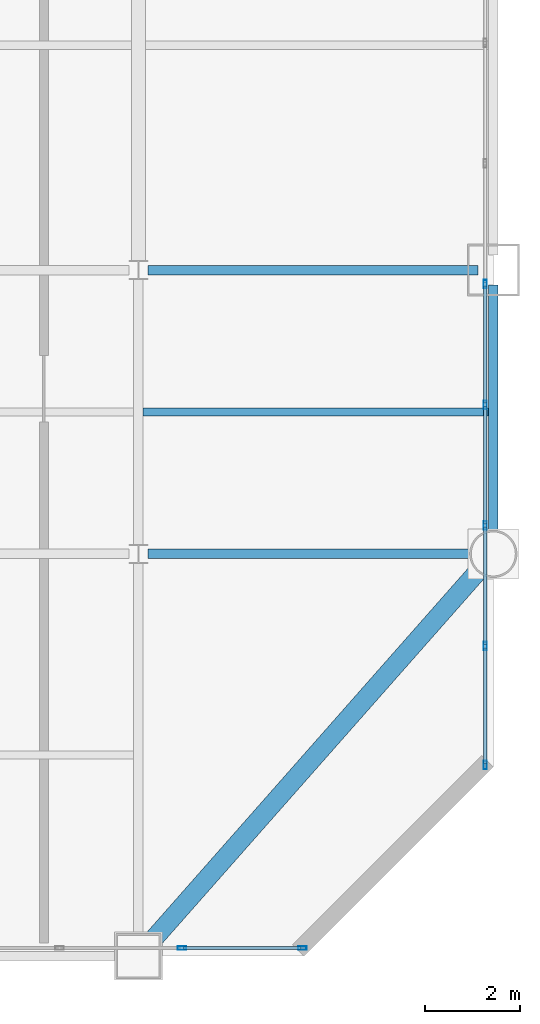
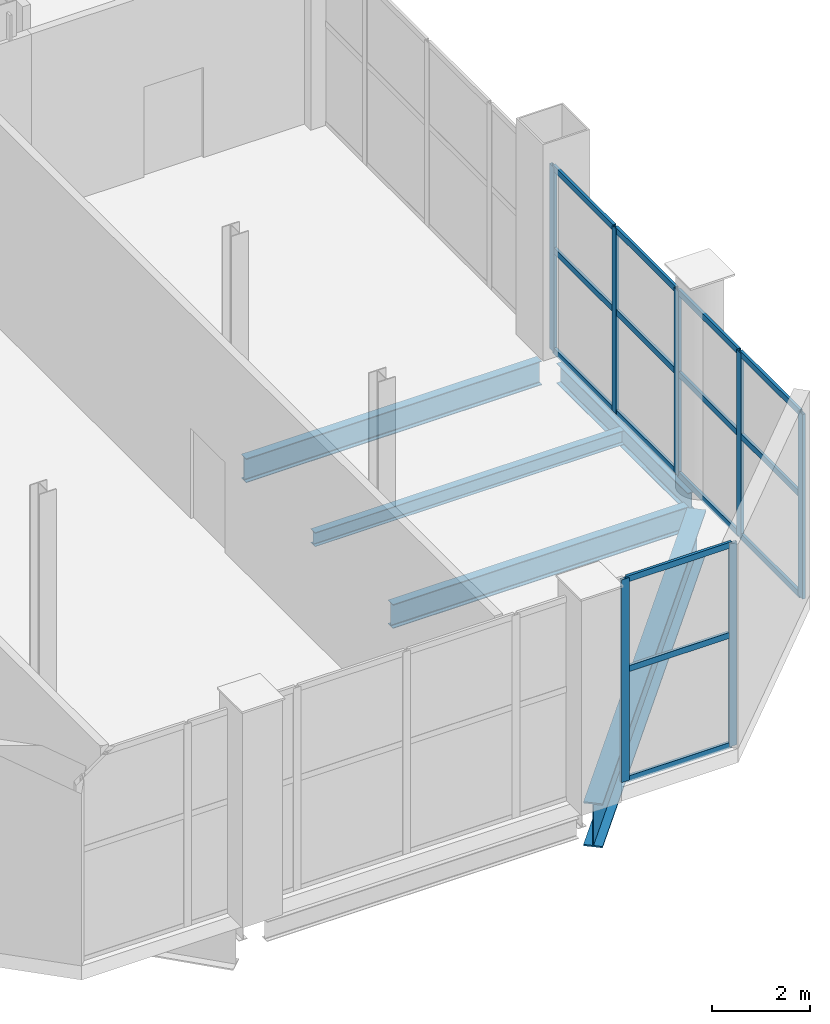
# One storey, part 10 of 24: 22 members, 5 beams, 2 elements without a shape of their own.
"""IFC4 building model written with IfcOpenShell, lengths in metres."""

from ifc_helpers import new_model, si_unit, direction, frame, origin, origin_2d, place, context, subcontext, project, spatial, hollow_rectangle, i_section, extrude, material, layer, layer_set, material_profile, profile_set, type_object, element, aggregate, save


model = new_model("IFC4")

# Units and contexts
model_context = context("Model", 3, precision=1e-05, world=origin(), true_north=direction((0.0, 1.0)))
body_context = subcontext(model_context, "Body", "Model", "MODEL_VIEW")
ifc_project = project(units=[si_unit("LENGTHUNIT", "METRE"), si_unit("AREAUNIT", "SQUARE_METRE"), si_unit("VOLUMEUNIT", "CUBIC_METRE"), si_unit("PLANEANGLEUNIT", "RADIAN"), si_unit("MASSUNIT", "GRAM", prefix="KILO")], contexts=[model_context])

# Site, building, storey
site_placement = place(None, origin())
site = spatial("IfcSite", under=ifc_project, at=site_placement, CompositionType="ELEMENT")
building_placement = place(site_placement, origin())
building = spatial("IfcBuilding", under=site, at=building_placement, Name="Qianrong Seaharbour Tower", CompositionType="ELEMENT")
storey_placement = place(building_placement, frame((0.0, 0.0, 195.0)))
storey = spatial("IfcBuildingStorey", under=building, at=storey_placement, Name="L47", CompositionType="ELEMENT", Elevation=195.0)

# Beams
ifc_material_1 = material(Name="Structural steel SN490B", Category="steel")
ifc_material_profile_1 = material_profile(ifc_material_1, i_section(OverallWidth=0.199951171875, OverallDepth=0.60009765625, WebThickness=0.010986328125, FlangeThickness=0.01708984375, FilletRadius=0.02197265625, at=origin_2d()), Name="H600x200x11x17")
ifc_profile_set_1 = profile_set([ifc_material_profile_1], Name="Structural steel SN490B")
beam_type_1 = type_object("IfcBeamType", Name="BM-G-600", PredefinedType="BEAM", material=ifc_profile_set_1)
for number, where, z_axis, x_axis, name in (
    (1, (56.699951171875, 12.5, -0.64990234375), (1.0, 0.0, 0.0), (0.0, 1.0, 0.0), "L47 Primary Girder GC G8-G9"),
    (2, (56.699951171875, 18.5, -0.64990234375), (1.0, 0.0, 0.0), (0.0, 1.0, 0.0), "L47 Primary Girder GD G8-G9"),
):
    element("IfcBeam", number, at=place(storey_placement, frame(where, z_axis=z_axis, x_axis=x_axis)), inside=storey, type_object=beam_type_1, Name=name, PredefinedType="BEAM", context=body_context, shape_type="SweptSolid", body=[
        extrude(i_section(OverallWidth=0.199951171875, OverallDepth=0.60009765625, WebThickness=0.010986328125, FlangeThickness=0.01708984375, FilletRadius=0.02197265625, at=origin_2d()), origin(), (0.0, 0.0, 1.0), 6.97998046875),
    ])
ifc_material_2 = material(Name="Structural steel SN400B", Category="steel")
ifc_material_profile_2 = material_profile(ifc_material_2, i_section(OverallWidth=0.175048828125, OverallDepth=0.35009765625, WebThickness=0.007080078125, FlangeThickness=0.010986328125, FilletRadius=0.013916015625, at=origin_2d()), Name="H350x175x7x11")
ifc_profile_set_2 = profile_set([ifc_material_profile_2], Name="Structural steel SN400B")
beam_type_2 = type_object("IfcBeamType", Name="BM-J-350", PredefinedType="JOIST", material=ifc_profile_set_2)
beam_1_placement = place(storey_placement, frame((56.60009765625, 15.5, -0.52490234375), z_axis=(1.0, 0.0, 0.0), x_axis=(0.0, 1.0, 0.0)))
element("IfcBeam", 3, at=beam_1_placement, inside=storey, type_object=beam_type_2, Name="L47 Composite Floor Joist G8-G9/GC-GD", PredefinedType="JOIST", context=body_context, shape_type="SweptSolid", body=[
    extrude(i_section(OverallWidth=0.175048828125, OverallDepth=0.35009765625, WebThickness=0.007080078125, FlangeThickness=0.010986328125, FilletRadius=0.013916015625, at=origin_2d()), origin(), (0.0, 0.0, 1.0), 7.2998046875),
])
ifc_material_profile_3 = material_profile(ifc_material_1, i_section(OverallWidth=0.199951171875, OverallDepth=0.5, WebThickness=0.010009765625, FlangeThickness=0.01611328125, FilletRadius=0.02001953125, at=origin_2d()), Name="H500x200x10x16")
ifc_profile_set_3 = profile_set([ifc_material_profile_3], Name="Structural steel SN490B")
beam_type_3 = type_object("IfcBeamType", Name="BM-SP-500", PredefinedType="SPANDREL", material=ifc_profile_set_3)
beam_2_placement = place(storey_placement, frame((64.0, 12.820068359375, -0.60009765625), z_axis=(0.0, 1.0, 0.0), x_axis=(-1.0, 0.0, 0.0)))
element("IfcBeam", 4, at=beam_2_placement, inside=storey, type_object=beam_type_3, Name="L47 Spandrel Girder G9 GC-GD", PredefinedType="SPANDREL", context=body_context, shape_type="SweptSolid", body=[
    extrude(i_section(OverallWidth=0.199951171875, OverallDepth=0.5, WebThickness=0.010009765625, FlangeThickness=0.01611328125, FilletRadius=0.02001953125, at=origin_2d()), origin(), (0.0, 0.0, 1.0), 5.35986328125),
])
ifc_material_profile_4 = material_profile(ifc_material_1, i_section(OverallWidth=0.39990234375, OverallDepth=1.10009765625, WebThickness=0.02001953125, FlangeThickness=0.035888671875, at=origin_2d()), Name="BH1100x400x20x36")
ifc_profile_set_4 = profile_set([ifc_material_profile_4], Name="Structural steel SN490B")
beam_type_4 = type_object("IfcBeamType", Name="BM-TG-1100", PredefinedType="BEAM", material=ifc_profile_set_4)
beam_3_placement = place(storey_placement, frame((56.711669921875, 4.239990234375, -0.89990234375), z_axis=(0.661630696334, 0.749829861815, 0.0), x_axis=(-0.749829861815, 0.661630696334, 0.0)))
element("IfcBeam", 5, at=beam_3_placement, inside=storey, type_object=beam_type_4, Name="L47 Chamfer Corner Spandrel Girder G9/GB", PredefinedType="BEAM", context=body_context, shape_type="SweptSolid", body=[
    extrude(i_section(OverallWidth=0.39990234375, OverallDepth=1.10009765625, WebThickness=0.02001953125, FlangeThickness=0.035888671875, at=origin_2d()), origin(), (0.0, 0.0, 1.0), 10.69580078125),
])

# Curtain wall, members
ifc_material_3 = material(Name="Anodised aluminium 6063-T6 and laminated low-e glass", Category="aluminium")
ifc_layer = layer(ifc_material_3, 0.18505859375)
ifc_layer_set = layer_set([ifc_layer], Name="Anodised aluminium 6063-T6 and laminated low-e glass")
curtain_wall_type = type_object("IfcCurtainWallType", Name="CW-SYS-4", PredefinedType="NOTDEFINED", material=ifc_layer_set)
curtain_wall_1_placement = place(storey_placement, origin())
curtain_wall_1 = element("IfcCurtainWall", 6, at=curtain_wall_1_placement, inside=storey, type_object=curtain_wall_type, Name="L47 Refuge Acoustic Louvre Curtain Wall EAST_WING", PredefinedType="NOTDEFINED")
ifc_material_4 = material(Name="Extruded aluminium 6063-T6", Category="aluminium")
ifc_material_profile_5 = material_profile(ifc_material_4, hollow_rectangle(XDim=0.070068359375, YDim=0.179931640625, WallThickness=0.00390625, at=origin_2d()), Name="ALU-MUL-180x70x4")
ifc_profile_set_5 = profile_set([ifc_material_profile_5], Name="Extruded aluminium 6063-T6")
member_type_1 = type_object("IfcMemberType", Name="CW-MUL-180", PredefinedType="MULLION", material=ifc_profile_set_5)
member_1_placement = place(storey_placement, frame((63.830078125, 18.199951171875, 0.0), z_axis=(0.0, 0.0, 1.0), x_axis=(1.0, 0.0, 0.0)))
member_1 = element("IfcMember", 7, at=member_1_placement, type_object=member_type_1, Name="CW-4 mullion 8", PredefinedType="MULLION", context=body_context, shape_type="SweptSolid", body=[
    extrude(hollow_rectangle(XDim=0.070068359375, YDim=0.179931640625, WallThickness=0.00390625, at=origin_2d()), origin(), (0.0, 0.0, 1.0), 4.610107421875),
])
member_2_placement = place(storey_placement, frame((63.830078125, 15.64990234375, 0.0), z_axis=(0.0, 0.0, 1.0), x_axis=(1.0, 0.0, 0.0)))
member_2 = element("IfcMember", 8, at=member_2_placement, type_object=member_type_1, Name="CW-4 mullion 9", PredefinedType="MULLION", context=body_context, shape_type="SweptSolid", body=[
    extrude(hollow_rectangle(XDim=0.070068359375, YDim=0.179931640625, WallThickness=0.00390625, at=origin_2d()), origin(), (0.0, 0.0, 1.0), 4.610107421875),
])
member_3_placement = place(storey_placement, frame((63.830078125, 13.10009765625, 0.0), z_axis=(0.0, 0.0, 1.0), x_axis=(1.0, 0.0, 0.0)))
member_3 = element("IfcMember", 9, at=member_3_placement, type_object=member_type_1, Name="CW-4 mullion 10", PredefinedType="MULLION", context=body_context, shape_type="SweptSolid", body=[
    extrude(hollow_rectangle(XDim=0.070068359375, YDim=0.179931640625, WallThickness=0.00390625, at=origin_2d()), origin(), (0.0, 0.0, 1.0), 4.610107421875),
])
member_4_placement = place(storey_placement, frame((63.830078125, 10.550048828125, 0.0), z_axis=(0.0, 0.0, 1.0), x_axis=(1.0, 0.0, 0.0)))
member_4 = element("IfcMember", 10, at=member_4_placement, type_object=member_type_1, Name="CW-4 mullion 11", PredefinedType="MULLION", context=body_context, shape_type="SweptSolid", body=[
    extrude(hollow_rectangle(XDim=0.070068359375, YDim=0.179931640625, WallThickness=0.00390625, at=origin_2d()), origin(), (0.0, 0.0, 1.0), 4.610107421875),
])
member_5_placement = place(storey_placement, frame((63.830078125, 8.034912109375, 0.0), z_axis=(0.0, 0.0, 1.0), x_axis=(1.0, 0.0, 0.0)))
member_5 = element("IfcMember", 11, at=member_5_placement, type_object=member_type_1, Name="CW-4 mullion 12", PredefinedType="MULLION", context=body_context, shape_type="SweptSolid", body=[
    extrude(hollow_rectangle(XDim=0.070068359375, YDim=0.179931640625, WallThickness=0.00390625, at=origin_2d()), origin(), (0.0, 0.0, 1.0), 4.610107421875),
])

curtain_wall_2_placement = place(storey_placement, origin())
curtain_wall_2 = element("IfcCurtainWall", 12, at=curtain_wall_2_placement, inside=storey, type_object=curtain_wall_type, Name="L47 Refuge Acoustic Louvre Curtain Wall SOUTH_TIP", PredefinedType="NOTDEFINED")
member_6_placement = place(storey_placement, frame((59.965087890625, 4.169921875, 0.0), z_axis=(0.0, 0.0, 1.0), x_axis=(0.0, -1.0, 0.0)))
member_6 = element("IfcMember", 13, at=member_6_placement, type_object=member_type_1, Name="CW-4 mullion 1", PredefinedType="MULLION", context=body_context, shape_type="SweptSolid", body=[
    extrude(hollow_rectangle(XDim=0.070068359375, YDim=0.179931640625, WallThickness=0.00390625, at=origin_2d()), origin(), (0.0, 0.0, 1.0), 5.06005859375),
])
member_7_placement = place(storey_placement, frame((57.416748046875, 4.169921875, 0.0), z_axis=(0.0, 0.0, 1.0), x_axis=(0.0, -1.0, 0.0)))
member_7 = element("IfcMember", 14, at=member_7_placement, type_object=member_type_1, Name="CW-4 mullion 2", PredefinedType="MULLION", context=body_context, shape_type="SweptSolid", body=[
    extrude(hollow_rectangle(XDim=0.070068359375, YDim=0.179931640625, WallThickness=0.00390625, at=origin_2d()), origin(), (0.0, 0.0, 1.0), 5.06005859375),
])

# Member
ifc_material_profile_6 = material_profile(ifc_material_4, hollow_rectangle(XDim=0.06494140625, YDim=0.14990234375, WallThickness=0.00390625, at=origin_2d()), Name="ALU-TRN-150x65x4")
ifc_profile_set_6 = profile_set([ifc_material_profile_6], Name="Extruded aluminium 6063-T6")
member_type_2 = type_object("IfcMemberType", Name="CW-TRN-150", PredefinedType="USERDEFINED", material=ifc_profile_set_6)
member_8_placement = place(storey_placement, frame((63.830078125, 18.1650390625, 0.032470703125), z_axis=(0.0, -1.0, 0.0), x_axis=(1.0, 0.0, 0.0)))
member_8 = element("IfcMember", 15, at=member_8_placement, type_object=member_type_2, Name="CW-4 transom 8.1", ObjectType="TRANSOM", PredefinedType="USERDEFINED", context=body_context, shape_type="SweptSolid", body=[
    extrude(hollow_rectangle(XDim=0.06494140625, YDim=0.14990234375, WallThickness=0.00390625, at=origin_2d()), origin(), (0.0, 0.0, 1.0), 2.47998046875),
])

member_9_placement = place(storey_placement, frame((63.830078125, 18.1650390625, 2.535400390625), z_axis=(0.0, -1.0, 0.0), x_axis=(1.0, 0.0, 0.0)))
member_9 = element("IfcMember", 16, at=member_9_placement, type_object=member_type_2, Name="CW-4 transom 8.2", ObjectType="TRANSOM", PredefinedType="USERDEFINED", context=body_context, shape_type="SweptSolid", body=[
    extrude(hollow_rectangle(XDim=0.06494140625, YDim=0.14990234375, WallThickness=0.00390625, at=origin_2d()), origin(), (0.0, 0.0, 1.0), 2.47998046875),
])

member_10_placement = place(storey_placement, frame((63.830078125, 18.1650390625, 4.577392578125), z_axis=(0.0, -1.0, 0.0), x_axis=(1.0, 0.0, 0.0)))
member_10 = element("IfcMember", 17, at=member_10_placement, type_object=member_type_2, Name="CW-4 transom 8.3", ObjectType="TRANSOM", PredefinedType="USERDEFINED", context=body_context, shape_type="SweptSolid", body=[
    extrude(hollow_rectangle(XDim=0.06494140625, YDim=0.14990234375, WallThickness=0.00390625, at=origin_2d()), origin(), (0.0, 0.0, 1.0), 2.47998046875),
])

member_11_placement = place(storey_placement, frame((63.830078125, 15.614990234375, 0.032470703125), z_axis=(0.0, -1.0, 0.0), x_axis=(1.0, 0.0, 0.0)))
member_11 = element("IfcMember", 18, at=member_11_placement, type_object=member_type_2, Name="CW-4 transom 9.1", ObjectType="TRANSOM", PredefinedType="USERDEFINED", context=body_context, shape_type="SweptSolid", body=[
    extrude(hollow_rectangle(XDim=0.06494140625, YDim=0.14990234375, WallThickness=0.00390625, at=origin_2d()), origin(), (0.0, 0.0, 1.0), 2.47998046875),
])

member_12_placement = place(storey_placement, frame((63.830078125, 15.614990234375, 2.535400390625), z_axis=(0.0, -1.0, 0.0), x_axis=(1.0, 0.0, 0.0)))
member_12 = element("IfcMember", 19, at=member_12_placement, type_object=member_type_2, Name="CW-4 transom 9.2", ObjectType="TRANSOM", PredefinedType="USERDEFINED", context=body_context, shape_type="SweptSolid", body=[
    extrude(hollow_rectangle(XDim=0.06494140625, YDim=0.14990234375, WallThickness=0.00390625, at=origin_2d()), origin(), (0.0, 0.0, 1.0), 2.47998046875),
])

member_13_placement = place(storey_placement, frame((63.830078125, 15.614990234375, 4.577392578125), z_axis=(0.0, -1.0, 0.0), x_axis=(1.0, 0.0, 0.0)))
member_13 = element("IfcMember", 20, at=member_13_placement, type_object=member_type_2, Name="CW-4 transom 9.3", ObjectType="TRANSOM", PredefinedType="USERDEFINED", context=body_context, shape_type="SweptSolid", body=[
    extrude(hollow_rectangle(XDim=0.06494140625, YDim=0.14990234375, WallThickness=0.00390625, at=origin_2d()), origin(), (0.0, 0.0, 1.0), 2.47998046875),
])

member_14_placement = place(storey_placement, frame((63.830078125, 13.06494140625, 0.032470703125), z_axis=(0.0, -1.0, 0.0), x_axis=(1.0, 0.0, 0.0)))
member_14 = element("IfcMember", 21, at=member_14_placement, type_object=member_type_2, Name="CW-4 transom 10.1", ObjectType="TRANSOM", PredefinedType="USERDEFINED", context=body_context, shape_type="SweptSolid", body=[
    extrude(hollow_rectangle(XDim=0.06494140625, YDim=0.14990234375, WallThickness=0.00390625, at=origin_2d()), origin(), (0.0, 0.0, 1.0), 2.47998046875),
])

member_15_placement = place(storey_placement, frame((63.830078125, 13.06494140625, 2.535400390625), z_axis=(0.0, -1.0, 0.0), x_axis=(1.0, 0.0, 0.0)))
member_15 = element("IfcMember", 22, at=member_15_placement, type_object=member_type_2, Name="CW-4 transom 10.2", ObjectType="TRANSOM", PredefinedType="USERDEFINED", context=body_context, shape_type="SweptSolid", body=[
    extrude(hollow_rectangle(XDim=0.06494140625, YDim=0.14990234375, WallThickness=0.00390625, at=origin_2d()), origin(), (0.0, 0.0, 1.0), 2.47998046875),
])

member_16_placement = place(storey_placement, frame((63.830078125, 13.06494140625, 4.577392578125), z_axis=(0.0, -1.0, 0.0), x_axis=(1.0, 0.0, 0.0)))
member_16 = element("IfcMember", 23, at=member_16_placement, type_object=member_type_2, Name="CW-4 transom 10.3", ObjectType="TRANSOM", PredefinedType="USERDEFINED", context=body_context, shape_type="SweptSolid", body=[
    extrude(hollow_rectangle(XDim=0.06494140625, YDim=0.14990234375, WallThickness=0.00390625, at=origin_2d()), origin(), (0.0, 0.0, 1.0), 2.47998046875),
])

member_17_placement = place(storey_placement, frame((63.830078125, 10.514892578125, 0.032470703125), z_axis=(0.0, -1.0, 0.0), x_axis=(1.0, 0.0, 0.0)))
member_17 = element("IfcMember", 24, at=member_17_placement, type_object=member_type_2, Name="CW-4 transom 11.1", ObjectType="TRANSOM", PredefinedType="USERDEFINED", context=body_context, shape_type="SweptSolid", body=[
    extrude(hollow_rectangle(XDim=0.06494140625, YDim=0.14990234375, WallThickness=0.00390625, at=origin_2d()), origin(), (0.0, 0.0, 1.0), 2.44482421875),
])

member_18_placement = place(storey_placement, frame((63.830078125, 10.514892578125, 2.535400390625), z_axis=(0.0, -1.0, 0.0), x_axis=(1.0, 0.0, 0.0)))
member_18 = element("IfcMember", 25, at=member_18_placement, type_object=member_type_2, Name="CW-4 transom 11.2", ObjectType="TRANSOM", PredefinedType="USERDEFINED", context=body_context, shape_type="SweptSolid", body=[
    extrude(hollow_rectangle(XDim=0.06494140625, YDim=0.14990234375, WallThickness=0.00390625, at=origin_2d()), origin(), (0.0, 0.0, 1.0), 2.44482421875),
])

member_19_placement = place(storey_placement, frame((63.830078125, 10.514892578125, 4.577392578125), z_axis=(0.0, -1.0, 0.0), x_axis=(1.0, 0.0, 0.0)))
member_19 = element("IfcMember", 26, at=member_19_placement, type_object=member_type_2, Name="CW-4 transom 11.3", ObjectType="TRANSOM", PredefinedType="USERDEFINED", context=body_context, shape_type="SweptSolid", body=[
    extrude(hollow_rectangle(XDim=0.06494140625, YDim=0.14990234375, WallThickness=0.00390625, at=origin_2d()), origin(), (0.0, 0.0, 1.0), 2.44482421875),
])

aggregate(curtain_wall_1, [member_1, member_2, member_3, member_4, member_5, member_8, member_9, member_10, member_11, member_12, member_13, member_14, member_15, member_16, member_17, member_18, member_19])

member_20_placement = place(storey_placement, frame((59.929931640625, 4.169921875, 0.032470703125), z_axis=(-1.0, 0.0, 0.0), x_axis=(0.0, -1.0, 0.0)))
member_20 = element("IfcMember", 27, at=member_20_placement, type_object=member_type_2, Name="CW-4 transom 1.1", ObjectType="TRANSOM", PredefinedType="USERDEFINED", context=body_context, shape_type="SweptSolid", body=[
    extrude(hollow_rectangle(XDim=0.06494140625, YDim=0.14990234375, WallThickness=0.00390625, at=origin_2d()), origin(), (0.0, 0.0, 1.0), 2.478271484375),
])

member_21_placement = place(storey_placement, frame((59.929931640625, 4.169921875, 2.782958984375), z_axis=(-1.0, 0.0, 0.0), x_axis=(0.0, -1.0, 0.0)))
member_21 = element("IfcMember", 28, at=member_21_placement, type_object=member_type_2, Name="CW-4 transom 1.2", ObjectType="TRANSOM", PredefinedType="USERDEFINED", context=body_context, shape_type="SweptSolid", body=[
    extrude(hollow_rectangle(XDim=0.06494140625, YDim=0.14990234375, WallThickness=0.00390625, at=origin_2d()), origin(), (0.0, 0.0, 1.0), 2.478271484375),
])

member_22_placement = place(storey_placement, frame((59.929931640625, 4.169921875, 5.027587890625), z_axis=(-1.0, 0.0, 0.0), x_axis=(0.0, -1.0, 0.0)))
member_22 = element("IfcMember", 29, at=member_22_placement, type_object=member_type_2, Name="CW-4 transom 1.3", ObjectType="TRANSOM", PredefinedType="USERDEFINED", context=body_context, shape_type="SweptSolid", body=[
    extrude(hollow_rectangle(XDim=0.06494140625, YDim=0.14990234375, WallThickness=0.00390625, at=origin_2d()), origin(), (0.0, 0.0, 1.0), 2.478271484375),
])

aggregate(curtain_wall_2, [member_6, member_7, member_20, member_21, member_22])

save(model, "model.ifc")
